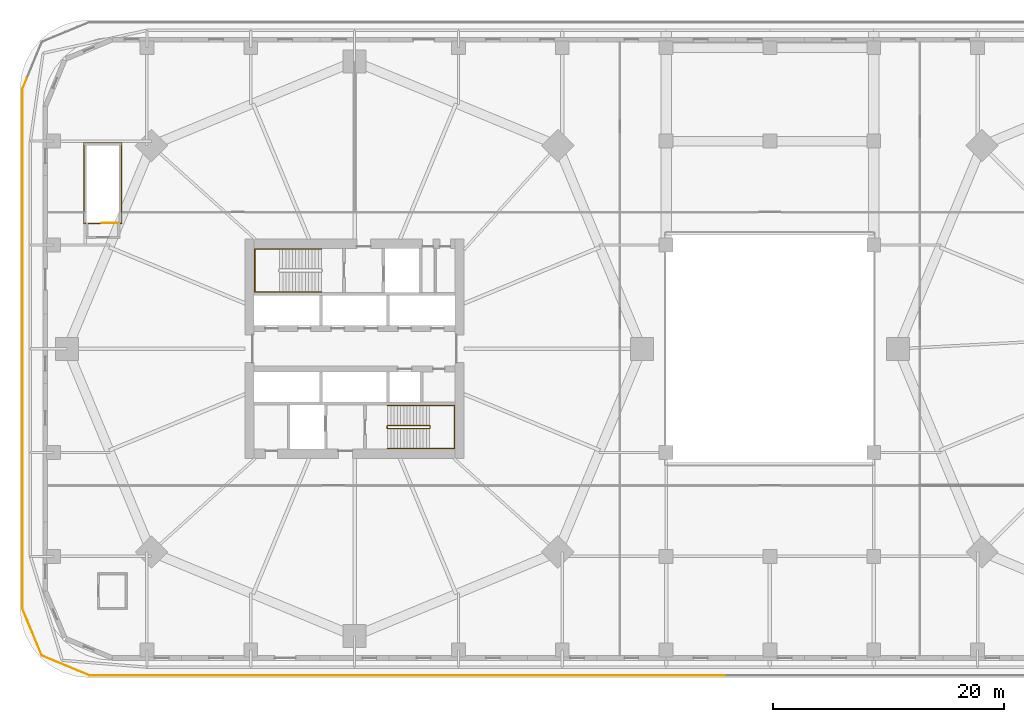
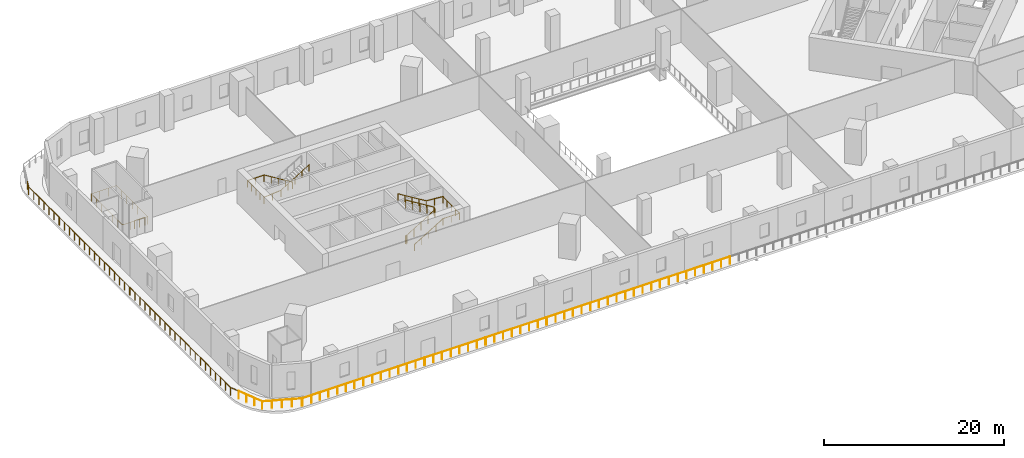
# One storey, part 13 of 16: 19 railings.
"""IFC4 building model written with IfcOpenShell, lengths in metres."""

from ifc_helpers import new_model, si_unit, direction, frame, origin, origin_2d, place, context, subcontext, project, spatial, circle, extrude, material, type_object, element, save


model = new_model("IFC4")

# Units and contexts
model_context = context("Model", 3, precision=1e-05, world=origin(), true_north=direction((0.0, 1.0)))
body_context = subcontext(model_context, "Body", "Model", "MODEL_VIEW")
ifc_project = project(units=[si_unit("LENGTHUNIT", "METRE"), si_unit("AREAUNIT", "SQUARE_METRE"), si_unit("VOLUMEUNIT", "CUBIC_METRE"), si_unit("PLANEANGLEUNIT", "RADIAN"), si_unit("MASSUNIT", "GRAM", prefix="KILO")], contexts=[model_context])

# Site, building, storey
site_placement = place(None, origin())
site = spatial("IfcSite", under=ifc_project, at=site_placement, CompositionType="ELEMENT")
building_placement = place(site_placement, origin())
building = spatial("IfcBuilding", under=site, at=building_placement, Name="Ogive Gate Towers", CompositionType="ELEMENT")
storey_placement = place(building_placement, frame((0.0, 0.0, 22.800048828125)))
storey = spatial("IfcBuildingStorey", under=building, at=storey_placement, Name="L04", CompositionType="ELEMENT", Elevation=22.800048828125)

# Railings
ifc_material_1 = material(Name="Stainless steel", Category="steel")
railing_type_1 = type_object("IfcRailingType", Name="Guard 1100", PredefinedType="GUARDRAIL", material=ifc_material_1)
railing_1_placement = place(storey_placement, frame((-64.409912109375, 23.441650390625, 0.0)))
element("IfcRailing", 1, at=railing_1_placement, inside=storey, type_object=railing_type_1, Name="Terrace guard", PredefinedType="GUARDRAIL", context=body_context, shape_type="SweptSolid", body=[
    extrude(circle(Radius=0.02392578125, at=origin_2d()), frame((0.0, 0.0, 1.076171875), z_axis=(-0.382760771371, -0.923847493854, 0.0), x_axis=(0.923847493854, -0.382760771371, 0.0)), (0.0, 0.0, 1.0), 1.019287109375),
    extrude(circle(Radius=0.02392578125, at=origin_2d()), frame((-0.39013671875, -0.941650390625, 1.076171875), z_axis=(0.0, -1.0, 0.0), x_axis=(1.0, 0.0, 0.0)), (0.0, 0.0, 1.0), 6.789794921875),
    extrude(circle(Radius=0.02099609375, at=origin_2d()), origin(), (0.0, 0.0, 1.0), 1.052001953125),
    extrude(circle(Radius=0.02099609375, at=origin_2d()), frame((-0.39013671875, -0.941650390625, 0.0)), (0.0, 0.0, 1.0), 1.052001953125),
    extrude(circle(Radius=0.02099609375, at=origin_2d()), frame((-0.39013671875, -2.0732421875, 0.0)), (0.0, 0.0, 1.0), 1.052001953125),
    extrude(circle(Radius=0.02099609375, at=origin_2d()), frame((-0.39013671875, -3.204833984375, 0.0)), (0.0, 0.0, 1.0), 1.052001953125),
    extrude(circle(Radius=0.02099609375, at=origin_2d()), frame((-0.39013671875, -4.33642578125, 0.0)), (0.0, 0.0, 1.0), 1.052001953125),
    extrude(circle(Radius=0.02099609375, at=origin_2d()), frame((-0.39013671875, -5.46826171875, 0.0)), (0.0, 0.0, 1.0), 1.052001953125),
    extrude(circle(Radius=0.02099609375, at=origin_2d()), frame((-0.39013671875, -6.599853515625, 0.0)), (0.0, 0.0, 1.0), 1.052001953125),
    extrude(circle(Radius=0.02099609375, at=origin_2d()), frame((-0.39013671875, -7.7314453125, 0.0)), (0.0, 0.0, 1.0), 1.052001953125),
])
for number, where, name in (
    (2, (-64.800048828125, 15.660400390625, 0.0), "Terrace guard"),
    (3, (-64.800048828125, 7.80126953125, 0.0), "Terrace guard"),
    (4, (-64.800048828125, -0.0576171875, 0.0), "Terrace guard"),
    (5, (-64.800048828125, -7.91650390625, 0.0), "Terrace guard"),
):
    element("IfcRailing", number, at=place(storey_placement, frame(where)), inside=storey, type_object=railing_type_1, Name=name, PredefinedType="GUARDRAIL", context=body_context, shape_type="SweptSolid", body=[
        extrude(circle(Radius=0.02392578125, at=origin_2d()), frame((0.0, 0.0, 1.076171875), z_axis=(0.0, -1.0, 0.0), x_axis=(1.0, 0.0, 0.0)), (0.0, 0.0, 1.0), 7.80908203125),
        extrude(circle(Radius=0.02099609375, at=origin_2d()), origin(), (0.0, 0.0, 1.0), 1.052001953125),
        extrude(circle(Radius=0.02099609375, at=origin_2d()), frame((0.0, -1.115478515625, 0.0)), (0.0, 0.0, 1.0), 1.052001953125),
        extrude(circle(Radius=0.02099609375, at=origin_2d()), frame((0.0, -2.231201171875, 0.0)), (0.0, 0.0, 1.0), 1.052001953125),
        extrude(circle(Radius=0.02099609375, at=origin_2d()), frame((0.0, -3.3466796875, 0.0)), (0.0, 0.0, 1.0), 1.052001953125),
        extrude(circle(Radius=0.02099609375, at=origin_2d()), frame((0.0, -4.46240234375, 0.0)), (0.0, 0.0, 1.0), 1.052001953125),
        extrude(circle(Radius=0.02099609375, at=origin_2d()), frame((0.0, -5.577880859375, 0.0)), (0.0, 0.0, 1.0), 1.052001953125),
        extrude(circle(Radius=0.02099609375, at=origin_2d()), frame((0.0, -6.693603515625, 0.0)), (0.0, 0.0, 1.0), 1.052001953125),
        extrude(circle(Radius=0.02099609375, at=origin_2d()), frame((0.0, -7.80908203125, 0.0)), (0.0, 0.0, 1.0), 1.052001953125),
    ])
railing_2_placement = place(storey_placement, frame((-64.800048828125, -15.775634765625, 0.0)))
element("IfcRailing", 6, at=railing_2_placement, inside=storey, type_object=railing_type_1, Name="Terrace guard", PredefinedType="GUARDRAIL", context=body_context, shape_type="SweptSolid", body=[
    extrude(circle(Radius=0.02392578125, at=origin_2d()), frame((0.0, 0.0, 1.076171875), z_axis=(0.0, -1.0, 0.0), x_axis=(1.0, 0.0, 0.0)), (0.0, 0.0, 1.0), 6.724365234375),
    extrude(circle(Radius=0.02392578125, at=origin_2d()), frame((0.0, -6.724365234375, 1.076171875), z_axis=(0.382696410016, -0.923874156886, 0.0), x_axis=(0.923874156886, 0.382696410016, 0.0)), (0.0, 0.0, 1.0), 1.08447265625),
    extrude(circle(Radius=0.02099609375, at=origin_2d()), origin(), (0.0, 0.0, 1.0), 1.052001953125),
    extrude(circle(Radius=0.02099609375, at=origin_2d()), frame((0.0, -1.12060546875, 0.0)), (0.0, 0.0, 1.0), 1.052001953125),
    extrude(circle(Radius=0.02099609375, at=origin_2d()), frame((0.0, -2.241455078125, 0.0)), (0.0, 0.0, 1.0), 1.052001953125),
    extrude(circle(Radius=0.02099609375, at=origin_2d()), frame((0.0, -3.3623046875, 0.0)), (0.0, 0.0, 1.0), 1.052001953125),
    extrude(circle(Radius=0.02099609375, at=origin_2d()), frame((0.0, -4.48291015625, 0.0)), (0.0, 0.0, 1.0), 1.052001953125),
    extrude(circle(Radius=0.02099609375, at=origin_2d()), frame((0.0, -5.603515625, 0.0)), (0.0, 0.0, 1.0), 1.052001953125),
    extrude(circle(Radius=0.02099609375, at=origin_2d()), frame((0.0, -6.724365234375, 0.0)), (0.0, 0.0, 1.0), 1.052001953125),
    extrude(circle(Radius=0.02099609375, at=origin_2d()), frame((0.4150390625, -7.726318359375, 0.0)), (0.0, 0.0, 1.0), 1.052001953125),
])
railing_3_placement = place(storey_placement, frame((-64.36572265625, -23.548095703125, 0.0)))
element("IfcRailing", 7, at=railing_3_placement, inside=storey, type_object=railing_type_1, Name="Terrace guard", PredefinedType="GUARDRAIL", context=body_context, shape_type="SweptSolid", body=[
    extrude(circle(Radius=0.02392578125, at=origin_2d()), frame((0.0, 0.0, 1.076171875), z_axis=(0.382610610834, -0.923909692815, 0.0), x_axis=(0.923909692815, 0.382610610834, 0.0)), (0.0, 0.0, 1.0), 3.3046875),
    extrude(circle(Radius=0.02392578125, at=origin_2d()), frame((1.264404296875, -3.05322265625, 1.076171875), z_axis=(0.923886797369, -0.382665892976, 0.0), x_axis=(0.382665892976, 0.923886797369, 0.0)), (0.0, 0.0, 1.0), 4.439208984375),
    extrude(circle(Radius=0.02392578125, at=origin_2d()), frame((5.36572265625, -4.751953125, 1.076171875), z_axis=(1.0, 0.0, 0.0), x_axis=(0.0, 1.0, 0.0)), (0.0, 0.0, 1.0), 0.065185546875),
    extrude(circle(Radius=0.02099609375, at=origin_2d()), origin(), (0.0, 0.0, 1.0), 1.052001953125),
    extrude(circle(Radius=0.02099609375, at=origin_2d()), frame((0.42138671875, -1.017822265625, 0.0)), (0.0, 0.0, 1.0), 1.052001953125),
    extrude(circle(Radius=0.02099609375, at=origin_2d()), frame((0.843017578125, -2.035400390625, 0.0)), (0.0, 0.0, 1.0), 1.052001953125),
    extrude(circle(Radius=0.02099609375, at=origin_2d()), frame((1.264404296875, -3.05322265625, 0.0)), (0.0, 0.0, 1.0), 1.052001953125),
    extrude(circle(Radius=0.02099609375, at=origin_2d()), frame((2.289794921875, -3.47802734375, 0.0)), (0.0, 0.0, 1.0), 1.052001953125),
    extrude(circle(Radius=0.02099609375, at=origin_2d()), frame((3.31494140625, -3.902587890625, 0.0)), (0.0, 0.0, 1.0), 1.052001953125),
    extrude(circle(Radius=0.02099609375, at=origin_2d()), frame((4.34033203125, -4.3271484375, 0.0)), (0.0, 0.0, 1.0), 1.052001953125),
    extrude(circle(Radius=0.02099609375, at=origin_2d()), frame((5.36572265625, -4.751953125, 0.0)), (0.0, 0.0, 1.0), 1.052001953125),
    extrude(circle(Radius=0.02099609375, at=origin_2d()), frame((5.430908203125, -4.751953125, 0.0)), (0.0, 0.0, 1.0), 1.052001953125),
])
railing_4_placement = place(storey_placement, frame((-58.884765625, -28.300048828125, 0.0)))
element("IfcRailing", 8, at=railing_4_placement, inside=storey, type_object=railing_type_1, Name="Terrace guard", PredefinedType="GUARDRAIL", context=body_context, shape_type="SweptSolid", body=[
    extrude(circle(Radius=0.02392578125, at=origin_2d()), frame((0.0, 0.0, 1.076171875), z_axis=(1.0, 0.0, 0.0), x_axis=(0.0, 1.0, 0.0)), (0.0, 0.0, 1.0), 7.80908203125),
    extrude(circle(Radius=0.02099609375, at=origin_2d()), origin(), (0.0, 0.0, 1.0), 1.052001953125),
    extrude(circle(Radius=0.02099609375, at=origin_2d()), frame((1.115478515625, 0.0, 0.0)), (0.0, 0.0, 1.0), 1.052001953125),
    extrude(circle(Radius=0.02099609375, at=origin_2d()), frame((2.231201171875, 0.0, 0.0)), (0.0, 0.0, 1.0), 1.052001953125),
    extrude(circle(Radius=0.02099609375, at=origin_2d()), frame((3.3466796875, 0.0, 0.0)), (0.0, 0.0, 1.0), 1.052001953125),
    extrude(circle(Radius=0.02099609375, at=origin_2d()), frame((4.46240234375, 0.0, 0.0)), (0.0, 0.0, 1.0), 1.052001953125),
    extrude(circle(Radius=0.02099609375, at=origin_2d()), frame((5.577880859375, 0.0, 0.0)), (0.0, 0.0, 1.0), 1.052001953125),
    extrude(circle(Radius=0.02099609375, at=origin_2d()), frame((6.693603515625, 0.0, 0.0)), (0.0, 0.0, 1.0), 1.052001953125),
    extrude(circle(Radius=0.02099609375, at=origin_2d()), frame((7.80908203125, 0.0, 0.0)), (0.0, 0.0, 1.0), 1.052001953125),
])
railing_5_placement = place(storey_placement, frame((-51.025634765625, -28.300048828125, 0.0)))
element("IfcRailing", 9, at=railing_5_placement, inside=storey, type_object=railing_type_1, Name="Terrace guard", PredefinedType="GUARDRAIL", context=body_context, shape_type="SweptSolid", body=[
    extrude(circle(Radius=0.02392578125, at=origin_2d()), frame((0.0, 0.0, 1.076171875), z_axis=(1.0, 0.0, 0.0), x_axis=(0.0, 1.0, 0.0)), (0.0, 0.0, 1.0), 7.808837890625),
    extrude(circle(Radius=0.02099609375, at=origin_2d()), origin(), (0.0, 0.0, 1.0), 1.052001953125),
    extrude(circle(Radius=0.02099609375, at=origin_2d()), frame((1.115478515625, 0.0, 0.0)), (0.0, 0.0, 1.0), 1.052001953125),
    extrude(circle(Radius=0.02099609375, at=origin_2d()), frame((2.231201171875, 0.0, 0.0)), (0.0, 0.0, 1.0), 1.052001953125),
    extrude(circle(Radius=0.02099609375, at=origin_2d()), frame((3.3466796875, 0.0, 0.0)), (0.0, 0.0, 1.0), 1.052001953125),
    extrude(circle(Radius=0.02099609375, at=origin_2d()), frame((4.462158203125, 0.0, 0.0)), (0.0, 0.0, 1.0), 1.052001953125),
    extrude(circle(Radius=0.02099609375, at=origin_2d()), frame((5.57763671875, 0.0, 0.0)), (0.0, 0.0, 1.0), 1.052001953125),
    extrude(circle(Radius=0.02099609375, at=origin_2d()), frame((6.693359375, 0.0, 0.0)), (0.0, 0.0, 1.0), 1.052001953125),
    extrude(circle(Radius=0.02099609375, at=origin_2d()), frame((7.808837890625, 0.0, 0.0)), (0.0, 0.0, 1.0), 1.052001953125),
])
railing_6_placement = place(storey_placement, frame((-43.166748046875, -28.300048828125, 0.0)))
element("IfcRailing", 10, at=railing_6_placement, inside=storey, type_object=railing_type_1, Name="Terrace guard", PredefinedType="GUARDRAIL", context=body_context, shape_type="SweptSolid", body=[
    extrude(circle(Radius=0.02392578125, at=origin_2d()), frame((0.0, 0.0, 1.076171875), z_axis=(1.0, 0.0, 0.0), x_axis=(0.0, 1.0, 0.0)), (0.0, 0.0, 1.0), 7.80908203125),
    extrude(circle(Radius=0.02099609375, at=origin_2d()), origin(), (0.0, 0.0, 1.0), 1.052001953125),
    extrude(circle(Radius=0.02099609375, at=origin_2d()), frame((1.115478515625, 0.0, 0.0)), (0.0, 0.0, 1.0), 1.052001953125),
    extrude(circle(Radius=0.02099609375, at=origin_2d()), frame((2.231201171875, 0.0, 0.0)), (0.0, 0.0, 1.0), 1.052001953125),
    extrude(circle(Radius=0.02099609375, at=origin_2d()), frame((3.3466796875, 0.0, 0.0)), (0.0, 0.0, 1.0), 1.052001953125),
    extrude(circle(Radius=0.02099609375, at=origin_2d()), frame((4.46240234375, 0.0, 0.0)), (0.0, 0.0, 1.0), 1.052001953125),
    extrude(circle(Radius=0.02099609375, at=origin_2d()), frame((5.577880859375, 0.0, 0.0)), (0.0, 0.0, 1.0), 1.052001953125),
    extrude(circle(Radius=0.02099609375, at=origin_2d()), frame((6.693603515625, 0.0, 0.0)), (0.0, 0.0, 1.0), 1.052001953125),
    extrude(circle(Radius=0.02099609375, at=origin_2d()), frame((7.80908203125, 0.0, 0.0)), (0.0, 0.0, 1.0), 1.052001953125),
])
for number, where, name in (
    (11, (-35.3076171875, -28.300048828125, 0.0), "Terrace guard"),
    (12, (-27.44873046875, -28.300048828125, 0.0), "Terrace guard"),
):
    element("IfcRailing", number, at=place(storey_placement, frame(where)), inside=storey, type_object=railing_type_1, Name=name, PredefinedType="GUARDRAIL", context=body_context, shape_type="SweptSolid", body=[
        extrude(circle(Radius=0.02392578125, at=origin_2d()), frame((0.0, 0.0, 1.076171875), z_axis=(1.0, 0.0, 0.0), x_axis=(0.0, 1.0, 0.0)), (0.0, 0.0, 1.0), 7.808837890625),
        extrude(circle(Radius=0.02099609375, at=origin_2d()), origin(), (0.0, 0.0, 1.0), 1.052001953125),
        extrude(circle(Radius=0.02099609375, at=origin_2d()), frame((1.115478515625, 0.0, 0.0)), (0.0, 0.0, 1.0), 1.052001953125),
        extrude(circle(Radius=0.02099609375, at=origin_2d()), frame((2.231201171875, 0.0, 0.0)), (0.0, 0.0, 1.0), 1.052001953125),
        extrude(circle(Radius=0.02099609375, at=origin_2d()), frame((3.3466796875, 0.0, 0.0)), (0.0, 0.0, 1.0), 1.052001953125),
        extrude(circle(Radius=0.02099609375, at=origin_2d()), frame((4.462158203125, 0.0, 0.0)), (0.0, 0.0, 1.0), 1.052001953125),
        extrude(circle(Radius=0.02099609375, at=origin_2d()), frame((5.57763671875, 0.0, 0.0)), (0.0, 0.0, 1.0), 1.052001953125),
        extrude(circle(Radius=0.02099609375, at=origin_2d()), frame((6.693359375, 0.0, 0.0)), (0.0, 0.0, 1.0), 1.052001953125),
        extrude(circle(Radius=0.02099609375, at=origin_2d()), frame((7.808837890625, 0.0, 0.0)), (0.0, 0.0, 1.0), 1.052001953125),
    ])
railing_7_placement = place(storey_placement, frame((-19.58984375, -28.300048828125, 0.0)))
element("IfcRailing", 13, at=railing_7_placement, inside=storey, type_object=railing_type_1, Name="Terrace guard", PredefinedType="GUARDRAIL", context=body_context, shape_type="SweptSolid", body=[
    extrude(circle(Radius=0.02392578125, at=origin_2d()), frame((0.0, 0.0, 1.076171875), z_axis=(1.0, 0.0, 0.0), x_axis=(0.0, 1.0, 0.0)), (0.0, 0.0, 1.0), 7.80908203125),
    extrude(circle(Radius=0.02099609375, at=origin_2d()), origin(), (0.0, 0.0, 1.0), 1.052001953125),
    extrude(circle(Radius=0.02099609375, at=origin_2d()), frame((1.115478515625, 0.0, 0.0)), (0.0, 0.0, 1.0), 1.052001953125),
    extrude(circle(Radius=0.02099609375, at=origin_2d()), frame((2.231201171875, 0.0, 0.0)), (0.0, 0.0, 1.0), 1.052001953125),
    extrude(circle(Radius=0.02099609375, at=origin_2d()), frame((3.3466796875, 0.0, 0.0)), (0.0, 0.0, 1.0), 1.052001953125),
    extrude(circle(Radius=0.02099609375, at=origin_2d()), frame((4.46240234375, 0.0, 0.0)), (0.0, 0.0, 1.0), 1.052001953125),
    extrude(circle(Radius=0.02099609375, at=origin_2d()), frame((5.577880859375, 0.0, 0.0)), (0.0, 0.0, 1.0), 1.052001953125),
    extrude(circle(Radius=0.02099609375, at=origin_2d()), frame((6.693603515625, 0.0, 0.0)), (0.0, 0.0, 1.0), 1.052001953125),
    extrude(circle(Radius=0.02099609375, at=origin_2d()), frame((7.80908203125, 0.0, 0.0)), (0.0, 0.0, 1.0), 1.052001953125),
])
railing_8_placement = place(storey_placement, frame((-11.730712890625, -28.300048828125, 0.0)))
element("IfcRailing", 14, at=railing_8_placement, inside=storey, type_object=railing_type_1, Name="Terrace guard", PredefinedType="GUARDRAIL", context=body_context, shape_type="SweptSolid", body=[
    extrude(circle(Radius=0.02392578125, at=origin_2d()), frame((0.0, 0.0, 1.076171875), z_axis=(1.0, 0.0, 0.0), x_axis=(0.0, 1.0, 0.0)), (0.0, 0.0, 1.0), 7.808837890625),
    extrude(circle(Radius=0.02099609375, at=origin_2d()), origin(), (0.0, 0.0, 1.0), 1.052001953125),
    extrude(circle(Radius=0.02099609375, at=origin_2d()), frame((1.115478515625, 0.0, 0.0)), (0.0, 0.0, 1.0), 1.052001953125),
    extrude(circle(Radius=0.02099609375, at=origin_2d()), frame((2.231201171875, 0.0, 0.0)), (0.0, 0.0, 1.0), 1.052001953125),
    extrude(circle(Radius=0.02099609375, at=origin_2d()), frame((3.3466796875, 0.0, 0.0)), (0.0, 0.0, 1.0), 1.052001953125),
    extrude(circle(Radius=0.02099609375, at=origin_2d()), frame((4.462158203125, 0.0, 0.0)), (0.0, 0.0, 1.0), 1.052001953125),
    extrude(circle(Radius=0.02099609375, at=origin_2d()), frame((5.57763671875, 0.0, 0.0)), (0.0, 0.0, 1.0), 1.052001953125),
    extrude(circle(Radius=0.02099609375, at=origin_2d()), frame((6.693359375, 0.0, 0.0)), (0.0, 0.0, 1.0), 1.052001953125),
    extrude(circle(Radius=0.02099609375, at=origin_2d()), frame((7.808837890625, 0.0, 0.0)), (0.0, 0.0, 1.0), 1.052001953125),
])
ifc_material_2 = material(Name="Steel and glass guard", Category="steel")
railing_type_2 = type_object("IfcRailingType", Name="Podium stair guard 1100", PredefinedType="GUARDRAIL", material=ifc_material_2)
railing_9_placement = place(storey_placement, frame((-56.550048828125, 10.89990234375, 0.0)))
element("IfcRailing", 15, at=railing_9_placement, inside=storey, type_object=railing_type_2, Name="L04 PS1 top well guard 1", PredefinedType="GUARDRAIL", context=body_context, shape_type="SweptSolid", body=[
    extrude(circle(Radius=0.02392578125, at=origin_2d()), frame((0.0, 0.0, 1.076171875), z_axis=(-1.0, 0.0, 0.0), x_axis=(0.0, -1.0, 0.0)), (0.0, 0.0, 1.0), 1.349853515625),
    extrude(circle(Radius=0.02099609375, at=origin_2d()), origin(), (0.0, 0.0, 1.0), 1.052001953125),
    extrude(circle(Radius=0.02099609375, at=origin_2d()), frame((-0.6748046875, 0.0, 0.0)), (0.0, 0.0, 1.0), 1.052001953125),
    extrude(circle(Radius=0.02099609375, at=origin_2d()), frame((-1.349853515625, 0.0, 0.0)), (0.0, 0.0, 1.0), 1.052001953125),
])
railing_type_3 = type_object("IfcRailingType", Name="Stair guard 1100", PredefinedType="GUARDRAIL", material=ifc_material_1)
railing_10_placement = place(storey_placement, frame((-33.18505859375, -6.860107421875, 0.0)))
element("IfcRailing", 16, at=railing_10_placement, inside=storey, type_object=railing_type_3, Name="L04 ST2 stair guard 1", PredefinedType="GUARDRAIL", context=body_context, shape_type="SweptSolid", body=[
    extrude(circle(Radius=0.02392578125, at=origin_2d()), frame((0.0, 0.0, 1.076171875), z_axis=(0.0, 1.0, 0.0), x_axis=(-1.0, 0.0, 0.0)), (0.0, 0.0, 1.0), 0.14501953125),
    extrude(circle(Radius=0.02392578125, at=origin_2d()), frame((0.0, 0.14501953125, 1.076171875), z_axis=(0.189390444499, -0.737236949804, 0.648546790429), x_axis=(0.968551454522, 0.24881334358, 0.0)), (0.0, 0.0, 1.0), 0.26416015625),
    extrude(circle(Radius=0.02392578125, at=origin_2d()), frame((0.050048828125, -0.0498046875, 1.24755859375), z_axis=(0.852850264322, 0.0, 0.5221555579), x_axis=(0.0, 1.0, 0.0)), (0.0, 0.0, 1.0), 4.267822265625),
    extrude(circle(Radius=0.02392578125, at=origin_2d()), frame((3.68994140625, -0.0498046875, 3.47607421875), z_axis=(0.708833529934, 0.705375805398, 0.0), x_axis=(-0.705375805398, 0.708833529934, 0.0)), (0.0, 0.0, 1.0), 0.070556640625),
    extrude(circle(Radius=0.02392578125, at=origin_2d()), frame((3.739990234375, 0.0, 3.47607421875), z_axis=(0.0, 1.0, 0.0), x_axis=(-1.0, 0.0, 0.0)), (0.0, 0.0, 1.0), 0.14501953125),
    extrude(circle(Radius=0.02392578125, at=origin_2d()), frame((3.739990234375, 0.14501953125, 3.47607421875), z_axis=(-0.269911200495, 0.269911200495, 0.924281281696), x_axis=(-0.707106781187, -0.707106781187, 0.0)), (0.0, 0.0, 1.0), 0.185546875),
    extrude(circle(Radius=0.02392578125, at=origin_2d()), frame((3.68994140625, 0.195068359375, 3.6474609375), z_axis=(-0.852824790078, 0.0, 0.522197163366), x_axis=(0.0, -1.0, 0.0)), (0.0, 0.0, 1.0), 4.26806640625),
    extrude(circle(Radius=0.02099609375, at=origin_2d()), origin(), (0.0, 0.0, 1.0), 1.052001953125),
    extrude(circle(Radius=0.02099609375, at=origin_2d()), frame((0.0, 0.14501953125, 0.0)), (0.0, 0.0, 1.0), 1.052001953125),
    extrude(circle(Radius=0.02099609375, at=origin_2d()), frame((0.050048828125, -0.0498046875, 0.17138671875)), (0.0, 0.0, 1.0), 1.052001953125),
    extrude(circle(Radius=0.02099609375, at=origin_2d()), frame((0.9599609375, -0.0498046875, 0.728515625)), (0.0, 0.0, 1.0), 1.052001953125),
    extrude(circle(Radius=0.02099609375, at=origin_2d()), frame((1.8701171875, -0.0498046875, 1.28564453125)), (0.0, 0.0, 1.0), 1.052001953125),
    extrude(circle(Radius=0.02099609375, at=origin_2d()), frame((2.780029296875, -0.0498046875, 1.8427734375)), (0.0, 0.0, 1.0), 1.052001953125),
    extrude(circle(Radius=0.02099609375, at=origin_2d()), frame((3.68994140625, -0.0498046875, 2.39990234375)), (0.0, 0.0, 1.0), 1.052001953125),
    extrude(circle(Radius=0.02099609375, at=origin_2d()), frame((3.739990234375, 0.0, 2.39990234375)), (0.0, 0.0, 1.0), 1.052001953125),
    extrude(circle(Radius=0.02099609375, at=origin_2d()), frame((3.739990234375, 0.14501953125, 2.39990234375)), (0.0, 0.0, 1.0), 1.052001953125),
    extrude(circle(Radius=0.02099609375, at=origin_2d()), frame((3.68994140625, 0.195068359375, 2.5712890625)), (0.0, 0.0, 1.0), 1.052001953125),
    extrude(circle(Radius=0.02099609375, at=origin_2d()), frame((2.780029296875, 0.195068359375, 3.12841796875)), (0.0, 0.0, 1.0), 1.052001953125),
    extrude(circle(Radius=0.02099609375, at=origin_2d()), frame((1.8701171875, 0.195068359375, 3.685546875)), (0.0, 0.0, 1.0), 1.052001953125),
    extrude(circle(Radius=0.02099609375, at=origin_2d()), frame((0.9599609375, 0.195068359375, 4.242919921875)), (0.0, 0.0, 1.0), 1.052001953125),
    extrude(circle(Radius=0.02099609375, at=origin_2d()), frame((0.050048828125, 0.195068359375, 4.800048828125)), (0.0, 0.0, 1.0), 1.052001953125),
])
railing_type_4 = type_object("IfcRailingType", Name="Stair handrail 900", PredefinedType="HANDRAIL", material=ifc_material_1)
railing_11_placement = place(storey_placement, frame((-38.864990234375, 8.64990234375, 0.17138671875)))
element("IfcRailing", 17, at=railing_11_placement, inside=storey, type_object=railing_type_4, Name="L04 ST1 stair handrail 1", PredefinedType="HANDRAIL", context=body_context, shape_type="SweptSolid", body=[
    extrude(circle(Radius=0.02392578125, at=origin_2d()), frame((0.0, 0.0, 0.8759765625), z_axis=(-0.852850264322, 0.0, 0.5221555579), x_axis=(0.0, -1.0, 0.0)), (0.0, 0.0, 1.0), 4.267822265625),
    extrude(circle(Radius=0.02392578125, at=origin_2d()), frame((-3.639892578125, 0.0, 3.1044921875), z_axis=(-1.0, 0.0, 0.0), x_axis=(0.0, -1.0, 0.0)), (0.0, 0.0, 1.0), 2.14501953125),
    extrude(circle(Radius=0.02392578125, at=origin_2d()), frame((-5.784912109375, 0.0, 3.1044921875), z_axis=(0.0, -1.0, 0.0), x_axis=(1.0, 0.0, 0.0)), (0.0, 0.0, 1.0), 3.724853515625),
    extrude(circle(Radius=0.02392578125, at=origin_2d()), frame((-5.784912109375, -3.724853515625, 3.1044921875), z_axis=(0.996823210099, 0.0, 0.079646015649), x_axis=(0.0, 1.0, 0.0)), (0.0, 0.0, 1.0), 2.15185546875),
    extrude(circle(Radius=0.02392578125, at=origin_2d()), frame((-3.639892578125, -3.724853515625, 3.27587890625), z_axis=(0.852824790078, 0.0, 0.522197163366), x_axis=(0.0, 1.0, 0.0)), (0.0, 0.0, 1.0), 4.26806640625),
    extrude(circle(Radius=0.02099609375, at=origin_2d()), origin(), (0.0, 0.0, 1.0), 0.851806640625),
    extrude(circle(Radius=0.02099609375, at=origin_2d()), frame((-0.909912109375, 0.0, 0.55712890625)), (0.0, 0.0, 1.0), 0.851806640625),
    extrude(circle(Radius=0.02099609375, at=origin_2d()), frame((-1.81982421875, 0.0, 1.1142578125)), (0.0, 0.0, 1.0), 0.851806640625),
    extrude(circle(Radius=0.02099609375, at=origin_2d()), frame((-2.72998046875, 0.0, 1.67138671875)), (0.0, 0.0, 1.0), 0.851806640625),
    extrude(circle(Radius=0.02099609375, at=origin_2d()), frame((-3.639892578125, 0.0, 2.228515625)), (0.0, 0.0, 1.0), 0.851806640625),
    extrude(circle(Radius=0.02099609375, at=origin_2d()), frame((-4.71240234375, 0.0, 2.228515625)), (0.0, 0.0, 1.0), 0.851806640625),
    extrude(circle(Radius=0.02099609375, at=origin_2d()), frame((-5.784912109375, 0.0, 2.228515625)), (0.0, 0.0, 1.0), 0.851806640625),
    extrude(circle(Radius=0.02099609375, at=origin_2d()), frame((-5.784912109375, -0.93115234375, 2.228515625)), (0.0, 0.0, 1.0), 0.851806640625),
    extrude(circle(Radius=0.02099609375, at=origin_2d()), frame((-5.784912109375, -1.8623046875, 2.228515625)), (0.0, 0.0, 1.0), 0.851806640625),
    extrude(circle(Radius=0.02099609375, at=origin_2d()), frame((-5.784912109375, -2.793701171875, 2.228515625)), (0.0, 0.0, 1.0), 0.851806640625),
    extrude(circle(Radius=0.02099609375, at=origin_2d()), frame((-5.784912109375, -3.724853515625, 2.228515625)), (0.0, 0.0, 1.0), 0.851806640625),
    extrude(circle(Radius=0.02099609375, at=origin_2d()), frame((-4.71240234375, -3.724853515625, 2.314208984375)), (0.0, 0.0, 1.0), 0.851806640625),
    extrude(circle(Radius=0.02099609375, at=origin_2d()), frame((-3.639892578125, -3.724853515625, 2.39990234375)), (0.0, 0.0, 1.0), 0.851806640625),
    extrude(circle(Radius=0.02099609375, at=origin_2d()), frame((-2.72998046875, -3.724853515625, 2.95703125)), (0.0, 0.0, 1.0), 0.851806640625),
    extrude(circle(Radius=0.02099609375, at=origin_2d()), frame((-1.81982421875, -3.724853515625, 3.51416015625)), (0.0, 0.0, 1.0), 0.851806640625),
    extrude(circle(Radius=0.02099609375, at=origin_2d()), frame((-0.909912109375, -3.724853515625, 4.071533203125)), (0.0, 0.0, 1.0), 0.851806640625),
    extrude(circle(Radius=0.02099609375, at=origin_2d()), frame((0.0, -3.724853515625, 4.628662109375)), (0.0, 0.0, 1.0), 0.851806640625),
])
railing_12_placement = place(storey_placement, frame((-33.135009765625, -8.64990234375, 0.17138671875)))
element("IfcRailing", 18, at=railing_12_placement, inside=storey, type_object=railing_type_4, Name="L04 ST2 stair handrail 1", PredefinedType="HANDRAIL", context=body_context, shape_type="SweptSolid", body=[
    extrude(circle(Radius=0.02392578125, at=origin_2d()), frame((0.0, 0.0, 0.8759765625), z_axis=(0.852850264322, 0.0, 0.5221555579), x_axis=(0.0, 1.0, 0.0)), (0.0, 0.0, 1.0), 4.267822265625),
    extrude(circle(Radius=0.02392578125, at=origin_2d()), frame((3.639892578125, 0.0, 3.1044921875), z_axis=(1.0, 0.0, 0.0), x_axis=(0.0, 1.0, 0.0)), (0.0, 0.0, 1.0), 2.14501953125),
    extrude(circle(Radius=0.02392578125, at=origin_2d()), frame((5.784912109375, 0.0, 3.1044921875), z_axis=(0.0, 1.0, 0.0), x_axis=(-1.0, 0.0, 0.0)), (0.0, 0.0, 1.0), 3.724853515625),
    extrude(circle(Radius=0.02392578125, at=origin_2d()), frame((5.784912109375, 3.724853515625, 3.1044921875), z_axis=(-0.996823210099, 0.0, 0.079646015649), x_axis=(0.0, -1.0, 0.0)), (0.0, 0.0, 1.0), 2.15185546875),
    extrude(circle(Radius=0.02392578125, at=origin_2d()), frame((3.639892578125, 3.724853515625, 3.27587890625), z_axis=(-0.852824790078, 0.0, 0.522197163366), x_axis=(0.0, -1.0, 0.0)), (0.0, 0.0, 1.0), 4.26806640625),
    extrude(circle(Radius=0.02099609375, at=origin_2d()), origin(), (0.0, 0.0, 1.0), 0.851806640625),
    extrude(circle(Radius=0.02099609375, at=origin_2d()), frame((0.909912109375, 0.0, 0.55712890625)), (0.0, 0.0, 1.0), 0.851806640625),
    extrude(circle(Radius=0.02099609375, at=origin_2d()), frame((1.81982421875, 0.0, 1.1142578125)), (0.0, 0.0, 1.0), 0.851806640625),
    extrude(circle(Radius=0.02099609375, at=origin_2d()), frame((2.72998046875, 0.0, 1.67138671875)), (0.0, 0.0, 1.0), 0.851806640625),
    extrude(circle(Radius=0.02099609375, at=origin_2d()), frame((3.639892578125, 0.0, 2.228515625)), (0.0, 0.0, 1.0), 0.851806640625),
    extrude(circle(Radius=0.02099609375, at=origin_2d()), frame((4.71240234375, 0.0, 2.228515625)), (0.0, 0.0, 1.0), 0.851806640625),
    extrude(circle(Radius=0.02099609375, at=origin_2d()), frame((5.784912109375, 0.0, 2.228515625)), (0.0, 0.0, 1.0), 0.851806640625),
    extrude(circle(Radius=0.02099609375, at=origin_2d()), frame((5.784912109375, 0.93115234375, 2.228515625)), (0.0, 0.0, 1.0), 0.851806640625),
    extrude(circle(Radius=0.02099609375, at=origin_2d()), frame((5.784912109375, 1.8623046875, 2.228515625)), (0.0, 0.0, 1.0), 0.851806640625),
    extrude(circle(Radius=0.02099609375, at=origin_2d()), frame((5.784912109375, 2.793701171875, 2.228515625)), (0.0, 0.0, 1.0), 0.851806640625),
    extrude(circle(Radius=0.02099609375, at=origin_2d()), frame((5.784912109375, 3.724853515625, 2.228515625)), (0.0, 0.0, 1.0), 0.851806640625),
    extrude(circle(Radius=0.02099609375, at=origin_2d()), frame((4.71240234375, 3.724853515625, 2.314208984375)), (0.0, 0.0, 1.0), 0.851806640625),
    extrude(circle(Radius=0.02099609375, at=origin_2d()), frame((3.639892578125, 3.724853515625, 2.39990234375)), (0.0, 0.0, 1.0), 0.851806640625),
    extrude(circle(Radius=0.02099609375, at=origin_2d()), frame((2.72998046875, 3.724853515625, 2.95703125)), (0.0, 0.0, 1.0), 0.851806640625),
    extrude(circle(Radius=0.02099609375, at=origin_2d()), frame((1.81982421875, 3.724853515625, 3.51416015625)), (0.0, 0.0, 1.0), 0.851806640625),
    extrude(circle(Radius=0.02099609375, at=origin_2d()), frame((0.909912109375, 3.724853515625, 4.071533203125)), (0.0, 0.0, 1.0), 0.851806640625),
    extrude(circle(Radius=0.02099609375, at=origin_2d()), frame((0.0, 3.724853515625, 4.628662109375)), (0.0, 0.0, 1.0), 0.851806640625),
])
railing_type_5 = type_object("IfcRailingType", Name="Void guard 1100", PredefinedType="GUARDRAIL", material=ifc_material_2)
railing_13_placement = place(storey_placement, frame((-59.449951171875, 17.820068359375, 0.0)))
element("IfcRailing", 19, at=railing_13_placement, inside=storey, type_object=railing_type_5, Name="L04 nave guard", PredefinedType="GUARDRAIL", context=body_context, shape_type="SweptSolid", body=[
    extrude(circle(Radius=0.02392578125, at=origin_2d()), frame((0.0, 0.0, 1.076171875), z_axis=(1.0, 0.0, 0.0), x_axis=(0.0, 1.0, 0.0)), (0.0, 0.0, 1.0), 3.25),
    extrude(circle(Radius=0.02392578125, at=origin_2d()), frame((3.25, 0.0, 1.076171875), z_axis=(0.0, -1.0, 0.0), x_axis=(1.0, 0.0, 0.0)), (0.0, 0.0, 1.0), 6.955078125),
    extrude(circle(Radius=0.02392578125, at=origin_2d()), frame((3.25, -6.955078125, 1.076171875), z_axis=(-1.0, 0.0, 0.0), x_axis=(0.0, -1.0, 0.0)), (0.0, 0.0, 1.0), 3.25),
    extrude(circle(Radius=0.02392578125, at=origin_2d()), frame((0.0, -6.955078125, 1.076171875), z_axis=(0.0, 1.0, 0.0), x_axis=(-1.0, 0.0, 0.0)), (0.0, 0.0, 1.0), 6.885009765625),
    extrude(circle(Radius=0.02099609375, at=origin_2d()), origin(), (0.0, 0.0, 1.0), 1.052001953125),
    extrude(circle(Radius=0.02099609375, at=origin_2d()), frame((1.083251953125, 0.0, 0.0)), (0.0, 0.0, 1.0), 1.052001953125),
    extrude(circle(Radius=0.02099609375, at=origin_2d()), frame((2.166748046875, 0.0, 0.0)), (0.0, 0.0, 1.0), 1.052001953125),
    extrude(circle(Radius=0.02099609375, at=origin_2d()), frame((3.25, 0.0, 0.0)), (0.0, 0.0, 1.0), 1.052001953125),
    extrude(circle(Radius=0.02099609375, at=origin_2d()), frame((3.25, -1.1591796875, 0.0)), (0.0, 0.0, 1.0), 1.052001953125),
    extrude(circle(Radius=0.02099609375, at=origin_2d()), frame((3.25, -2.318359375, 0.0)), (0.0, 0.0, 1.0), 1.052001953125),
    extrude(circle(Radius=0.02099609375, at=origin_2d()), frame((3.25, -3.4775390625, 0.0)), (0.0, 0.0, 1.0), 1.052001953125),
    extrude(circle(Radius=0.02099609375, at=origin_2d()), frame((3.25, -4.63671875, 0.0)), (0.0, 0.0, 1.0), 1.052001953125),
    extrude(circle(Radius=0.02099609375, at=origin_2d()), frame((3.25, -5.7958984375, 0.0)), (0.0, 0.0, 1.0), 1.052001953125),
    extrude(circle(Radius=0.02099609375, at=origin_2d()), frame((3.25, -6.955078125, 0.0)), (0.0, 0.0, 1.0), 1.052001953125),
    extrude(circle(Radius=0.02099609375, at=origin_2d()), frame((2.166748046875, -6.955078125, 0.0)), (0.0, 0.0, 1.0), 1.052001953125),
    extrude(circle(Radius=0.02099609375, at=origin_2d()), frame((1.083251953125, -6.955078125, 0.0)), (0.0, 0.0, 1.0), 1.052001953125),
    extrude(circle(Radius=0.02099609375, at=origin_2d()), frame((0.0, -6.955078125, 0.0)), (0.0, 0.0, 1.0), 1.052001953125),
    extrude(circle(Radius=0.02099609375, at=origin_2d()), frame((0.0, -5.8076171875, 0.0)), (0.0, 0.0, 1.0), 1.052001953125),
    extrude(circle(Radius=0.02099609375, at=origin_2d()), frame((0.0, -4.66015625, 0.0)), (0.0, 0.0, 1.0), 1.052001953125),
    extrude(circle(Radius=0.02099609375, at=origin_2d()), frame((0.0, -3.5126953125, 0.0)), (0.0, 0.0, 1.0), 1.052001953125),
    extrude(circle(Radius=0.02099609375, at=origin_2d()), frame((0.0, -2.364990234375, 0.0)), (0.0, 0.0, 1.0), 1.052001953125),
    extrude(circle(Radius=0.02099609375, at=origin_2d()), frame((0.0, -1.217529296875, 0.0)), (0.0, 0.0, 1.0), 1.052001953125),
    extrude(circle(Radius=0.02099609375, at=origin_2d()), frame((0.0, -0.070068359375, 0.0)), (0.0, 0.0, 1.0), 1.052001953125),
])

save(model, "model.ifc")
